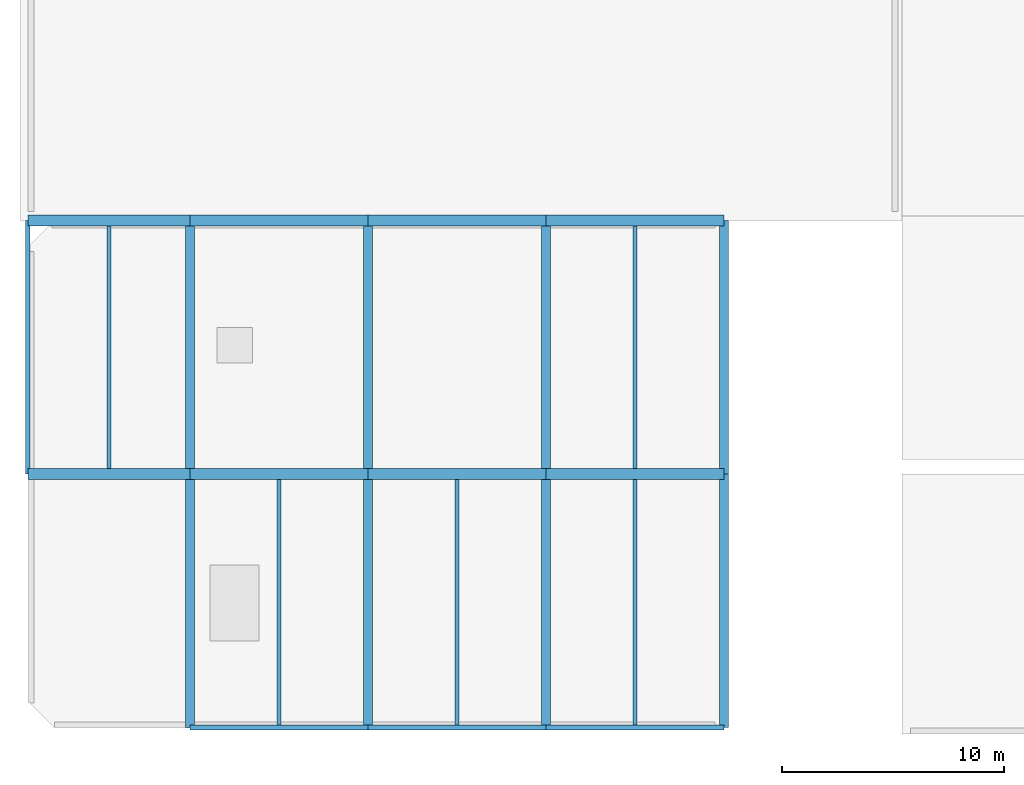
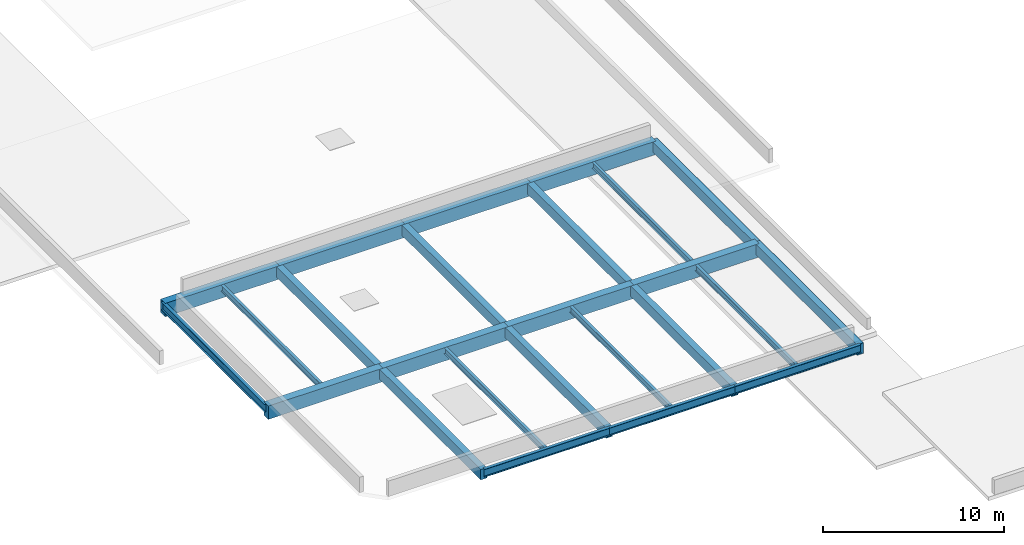
# One storey, part 1 of 65: 25 beams.
"""IFC4 building model written with IfcOpenShell, lengths in metres."""

from ifc_helpers import new_model, si_unit, direction, frame, origin, origin_2d, place, context, subcontext, project, spatial, rectangle, i_section, extrude, material, material_profile, profile_set, type_object, element, save


model = new_model("IFC4")

# Units and contexts
model_context = context("Model", 3, precision=1e-05, world=origin(), true_north=direction((0.0, 1.0)))
body_context = subcontext(model_context, "Body", "Model", "MODEL_VIEW")
ifc_project = project(units=[si_unit("LENGTHUNIT", "METRE"), si_unit("AREAUNIT", "SQUARE_METRE"), si_unit("VOLUMEUNIT", "CUBIC_METRE"), si_unit("PLANEANGLEUNIT", "RADIAN"), si_unit("MASSUNIT", "GRAM", prefix="KILO"), si_unit("POWERUNIT", "WATT"), si_unit("THERMODYNAMICTEMPERATUREUNIT", "KELVIN")], contexts=[model_context])

# Site, building, storey
site_placement = place(None, origin())
site = spatial("IfcSite", under=ifc_project, at=site_placement, CompositionType="ELEMENT")
building_placement = place(site_placement, origin())
building = spatial("IfcBuilding", under=site, at=building_placement, Name="Kelmbourne Parkland Aquatics Centre", CompositionType="ELEMENT")
storey_placement = place(building_placement, frame((0.0, 0.0, 27.0)))
storey = spatial("IfcBuildingStorey", under=building, at=storey_placement, Name="RF", CompositionType="ELEMENT", Elevation=27.0)

# Beams
ifc_material_1 = material(Name="Concrete C40/50", Category="concrete")
ifc_material_profile_1 = material_profile(ifc_material_1, rectangle(XDim=0.5, YDim=0.89990234375, at=origin_2d()), Name="RC 500x900")
ifc_profile_set_1 = profile_set([ifc_material_profile_1], Name="Concrete C40/50")
beam_type_1 = type_object("IfcBeamType", Name="BM-G03", PredefinedType="BEAM", material=ifc_profile_set_1)
beam_1_placement = place(storey_placement, frame((0.699951171875, 12.199951171875, -3.68994140625), z_axis=(1.0, 0.0, 0.0), x_axis=(0.0, 1.0, 0.0)))
element("IfcBeam", 1, at=beam_1_placement, inside=storey, type_object=beam_type_1, Name="Primary girder A-B Grid 03 (RF)", PredefinedType="BEAM", context=body_context, shape_type="SweptSolid", body=[
    extrude(rectangle(XDim=0.5, YDim=0.89990234375, at=origin_2d()), origin(), (0.0, 0.0, 1.0), 7.300048828125),
])
for number, where, z_axis, x_axis, name in (
    (2, (8.0, 12.199951171875, -3.68994140625), (1.0, 0.0, 0.0), (0.0, 1.0, 0.0), "Primary girder B-C Grid 03 (RF)"),
    (3, (16.0, 12.199951171875, -3.68994140625), (1.0, 0.0, 0.0), (0.0, 1.0, 0.0), "Primary girder C-D Grid 03 (RF)"),
    (4, (24.0, 12.199951171875, -3.68994140625), (1.0, 0.0, 0.0), (0.0, 1.0, 0.0), "Primary girder D-E Grid 03 (RF)"),
):
    element("IfcBeam", number, at=place(storey_placement, frame(where, z_axis=z_axis, x_axis=x_axis)), inside=storey, type_object=beam_type_1, Name=name, PredefinedType="BEAM", context=body_context, shape_type="SweptSolid", body=[
        extrude(rectangle(XDim=0.5, YDim=0.89990234375, at=origin_2d()), origin(), (0.0, 0.0, 1.0), 8.0),
    ])
beam_2_placement = place(storey_placement, frame((0.699951171875, 23.60009765625, -3.68994140625), z_axis=(1.0, 0.0, 0.0), x_axis=(0.0, 1.0, 0.0)))
element("IfcBeam", 5, at=beam_2_placement, inside=storey, type_object=beam_type_1, Name="Primary girder A-B Grid 04 (RF)", PredefinedType="BEAM", context=body_context, shape_type="SweptSolid", body=[
    extrude(rectangle(XDim=0.5, YDim=0.89990234375, at=origin_2d()), origin(), (0.0, 0.0, 1.0), 7.300048828125),
])
for number, where, z_axis, x_axis, name in (
    (6, (8.0, 23.60009765625, -3.68994140625), (1.0, 0.0, 0.0), (0.0, 1.0, 0.0), "Primary girder B-C Grid 04 (RF)"),
    (7, (16.0, 23.60009765625, -3.68994140625), (1.0, 0.0, 0.0), (0.0, 1.0, 0.0), "Primary girder C-D Grid 04 (RF)"),
    (8, (24.0, 23.60009765625, -3.68994140625), (1.0, 0.0, 0.0), (0.0, 1.0, 0.0), "Primary girder D-E Grid 04 (RF)"),
):
    element("IfcBeam", number, at=place(storey_placement, frame(where, z_axis=z_axis, x_axis=x_axis)), inside=storey, type_object=beam_type_1, Name=name, PredefinedType="BEAM", context=body_context, shape_type="SweptSolid", body=[
        extrude(rectangle(XDim=0.5, YDim=0.89990234375, at=origin_2d()), origin(), (0.0, 0.0, 1.0), 8.0),
    ])
ifc_material_profile_2 = material_profile(ifc_material_1, rectangle(XDim=0.39990234375, YDim=0.699951171875, at=origin_2d()), Name="RC 400x700")
ifc_profile_set_2 = profile_set([ifc_material_profile_2], Name="Concrete C40/50")
beam_type_2 = type_object("IfcBeamType", Name="BM-G05", PredefinedType="BEAM", material=ifc_profile_set_2)
beam_3_placement = place(storey_placement, frame((8.0, 0.800048828125, -3.590087890625), z_axis=(0.0, 1.0, 0.0), x_axis=(-1.0, 0.0, 0.0)))
element("IfcBeam", 9, at=beam_3_placement, inside=storey, type_object=beam_type_2, Name="Primary girder 01-03 Grid B (RF)", PredefinedType="BEAM", context=body_context, shape_type="SweptSolid", body=[
    extrude(rectangle(XDim=0.39990234375, YDim=0.699951171875, at=origin_2d()), origin(), (0.0, 0.0, 1.0), 11.39990234375),
])
beam_4_placement = place(storey_placement, frame((8.0, 12.199951171875, -3.590087890625), z_axis=(0.0, 1.0, 0.0), x_axis=(-1.0, 0.0, 0.0)))
element("IfcBeam", 10, at=beam_4_placement, inside=storey, type_object=beam_type_2, Name="Primary girder 03-04 Grid B (RF)", PredefinedType="BEAM", context=body_context, shape_type="SweptSolid", body=[
    extrude(rectangle(XDim=0.39990234375, YDim=0.699951171875, at=origin_2d()), origin(), (0.0, 0.0, 1.0), 11.400146484375),
])
beam_5_placement = place(storey_placement, frame((16.0, 0.800048828125, -3.590087890625), z_axis=(0.0, 1.0, 0.0), x_axis=(-1.0, 0.0, 0.0)))
element("IfcBeam", 11, at=beam_5_placement, inside=storey, type_object=beam_type_2, Name="Primary girder 01-03 Grid C (RF)", PredefinedType="BEAM", context=body_context, shape_type="SweptSolid", body=[
    extrude(rectangle(XDim=0.39990234375, YDim=0.699951171875, at=origin_2d()), origin(), (0.0, 0.0, 1.0), 11.39990234375),
])
beam_6_placement = place(storey_placement, frame((16.0, 12.199951171875, -3.590087890625), z_axis=(0.0, 1.0, 0.0), x_axis=(-1.0, 0.0, 0.0)))
element("IfcBeam", 12, at=beam_6_placement, inside=storey, type_object=beam_type_2, Name="Primary girder 03-04 Grid C (RF)", PredefinedType="BEAM", context=body_context, shape_type="SweptSolid", body=[
    extrude(rectangle(XDim=0.39990234375, YDim=0.699951171875, at=origin_2d()), origin(), (0.0, 0.0, 1.0), 11.400146484375),
])
beam_7_placement = place(storey_placement, frame((24.0, 0.800048828125, -3.590087890625), z_axis=(0.0, 1.0, 0.0), x_axis=(-1.0, 0.0, 0.0)))
element("IfcBeam", 13, at=beam_7_placement, inside=storey, type_object=beam_type_2, Name="Primary girder 01-03 Grid D (RF)", PredefinedType="BEAM", context=body_context, shape_type="SweptSolid", body=[
    extrude(rectangle(XDim=0.39990234375, YDim=0.699951171875, at=origin_2d()), origin(), (0.0, 0.0, 1.0), 11.39990234375),
])
beam_8_placement = place(storey_placement, frame((24.0, 12.199951171875, -3.590087890625), z_axis=(0.0, 1.0, 0.0), x_axis=(-1.0, 0.0, 0.0)))
element("IfcBeam", 14, at=beam_8_placement, inside=storey, type_object=beam_type_2, Name="Primary girder 03-04 Grid D (RF)", PredefinedType="BEAM", context=body_context, shape_type="SweptSolid", body=[
    extrude(rectangle(XDim=0.39990234375, YDim=0.699951171875, at=origin_2d()), origin(), (0.0, 0.0, 1.0), 11.400146484375),
])
beam_9_placement = place(storey_placement, frame((32.0, 0.800048828125, -3.590087890625), z_axis=(0.0, 1.0, 0.0), x_axis=(-1.0, 0.0, 0.0)))
element("IfcBeam", 15, at=beam_9_placement, inside=storey, type_object=beam_type_2, Name="Primary girder 01-03 Grid E (RF)", PredefinedType="BEAM", context=body_context, shape_type="SweptSolid", body=[
    extrude(rectangle(XDim=0.39990234375, YDim=0.699951171875, at=origin_2d()), origin(), (0.0, 0.0, 1.0), 11.39990234375),
])
beam_10_placement = place(storey_placement, frame((32.0, 12.199951171875, -3.590087890625), z_axis=(0.0, 1.0, 0.0), x_axis=(-1.0, 0.0, 0.0)))
element("IfcBeam", 16, at=beam_10_placement, inside=storey, type_object=beam_type_2, Name="Primary girder 03-04 Grid E (RF)", PredefinedType="BEAM", context=body_context, shape_type="SweptSolid", body=[
    extrude(rectangle(XDim=0.39990234375, YDim=0.699951171875, at=origin_2d()), origin(), (0.0, 0.0, 1.0), 11.400146484375),
])
ifc_material_2 = material(Name="Structural steel AS/NZS 3679.1 Grade 300", Category="steel")
ifc_material_profile_3 = material_profile(ifc_material_2, i_section(OverallWidth=0.177978515625, OverallDepth=0.406005859375, WebThickness=0.0078125, FlangeThickness=0.0126953125, at=origin_2d()), Name="410UB59.7")
ifc_profile_set_3 = profile_set([ifc_material_profile_3], Name="Structural steel AS/NZS 3679.1 Grade 300")
beam_type_3 = type_object("IfcBeamType", Name="BM-J01", PredefinedType="JOIST", material=ifc_profile_set_3)
beam_11_placement = place(storey_placement, frame((4.35009765625, 12.44189453125, -3.443115234375), z_axis=(0.0, 1.0, 0.0), x_axis=(-1.0, 0.0, 0.0)))
element("IfcBeam", 17, at=beam_11_placement, inside=storey, type_object=beam_type_3, Name="Secondary floor joist A-B/03-04 #1 (RF)", PredefinedType="JOIST", context=body_context, shape_type="SweptSolid", body=[
    extrude(i_section(OverallWidth=0.177978515625, OverallDepth=0.406005859375, WebThickness=0.0078125, FlangeThickness=0.0126953125, at=origin_2d()), origin(), (0.0, 0.0, 1.0), 10.916015625),
])
for number, where, z_axis, x_axis, name in (
    (18, (12.0, 0.896484375, -3.443115234375), (0.0, 1.0, 0.0), (-1.0, 0.0, 0.0), "Secondary floor joist B-C/01-03 #1 (RF)"),
    (19, (20.0, 0.896484375, -3.443115234375), (0.0, 1.0, 0.0), (-1.0, 0.0, 0.0), "Secondary floor joist C-D/01-03 #1 (RF)"),
    (20, (28.0, 0.896484375, -3.443115234375), (0.0, 1.0, 0.0), (-1.0, 0.0, 0.0), "Secondary floor joist D-E/01-03 #1 (RF)"),
):
    element("IfcBeam", number, at=place(storey_placement, frame(where, z_axis=z_axis, x_axis=x_axis)), inside=storey, type_object=beam_type_3, Name=name, PredefinedType="JOIST", context=body_context, shape_type="SweptSolid", body=[
        extrude(i_section(OverallWidth=0.177978515625, OverallDepth=0.406005859375, WebThickness=0.0078125, FlangeThickness=0.0126953125, at=origin_2d()), origin(), (0.0, 0.0, 1.0), 11.0615234375),
    ])
beam_12_placement = place(storey_placement, frame((28.0, 12.44189453125, -3.443115234375), z_axis=(0.0, 1.0, 0.0), x_axis=(-1.0, 0.0, 0.0)))
element("IfcBeam", 21, at=beam_12_placement, inside=storey, type_object=beam_type_3, Name="Secondary floor joist D-E/03-04 #1 (RF)", PredefinedType="JOIST", context=body_context, shape_type="SweptSolid", body=[
    extrude(i_section(OverallWidth=0.177978515625, OverallDepth=0.406005859375, WebThickness=0.0078125, FlangeThickness=0.0126953125, at=origin_2d()), origin(), (0.0, 0.0, 1.0), 10.916015625),
])
ifc_material_profile_4 = material_profile(ifc_material_2, i_section(OverallWidth=0.208984375, OverallDepth=0.532958984375, WebThickness=0.01025390625, FlangeThickness=0.015625, at=origin_2d()), Name="530UB92.4")
ifc_profile_set_4 = profile_set([ifc_material_profile_4], Name="Structural steel AS/NZS 3679.1 Grade 300")
beam_type_4 = type_object("IfcBeamType", Name="BM-SP02", PredefinedType="SPANDREL", material=ifc_profile_set_4)
for number, where, z_axis, x_axis, name in (
    (22, (8.0, 0.800048828125, -3.506591796875), (1.0, 0.0, 0.0), (0.0, 1.0, 0.0), "Perimeter spandrel B-C Grid 01 (RF)"),
    (23, (16.0, 0.800048828125, -3.506591796875), (1.0, 0.0, 0.0), (0.0, 1.0, 0.0), "Perimeter spandrel C-D Grid 01 (RF)"),
    (24, (24.0, 0.800048828125, -3.506591796875), (1.0, 0.0, 0.0), (0.0, 1.0, 0.0), "Perimeter spandrel D-E Grid 01 (RF)"),
):
    element("IfcBeam", number, at=place(storey_placement, frame(where, z_axis=z_axis, x_axis=x_axis)), inside=storey, type_object=beam_type_4, Name=name, PredefinedType="SPANDREL", context=body_context, shape_type="SweptSolid", body=[
        extrude(i_section(OverallWidth=0.208984375, OverallDepth=0.532958984375, WebThickness=0.01025390625, FlangeThickness=0.015625, at=origin_2d()), origin(), (0.0, 0.0, 1.0), 8.0),
    ])
beam_13_placement = place(storey_placement, frame((0.699951171875, 12.199951171875, -3.506591796875), z_axis=(0.0, 1.0, 0.0), x_axis=(-1.0, 0.0, 0.0)))
element("IfcBeam", 25, at=beam_13_placement, inside=storey, type_object=beam_type_4, Name="Perimeter spandrel 03-04 Grid A (RF)", PredefinedType="SPANDREL", context=body_context, shape_type="SweptSolid", body=[
    extrude(i_section(OverallWidth=0.208984375, OverallDepth=0.532958984375, WebThickness=0.01025390625, FlangeThickness=0.015625, at=origin_2d()), origin(), (0.0, 0.0, 1.0), 11.400146484375),
])

save(model, "model.ifc")
